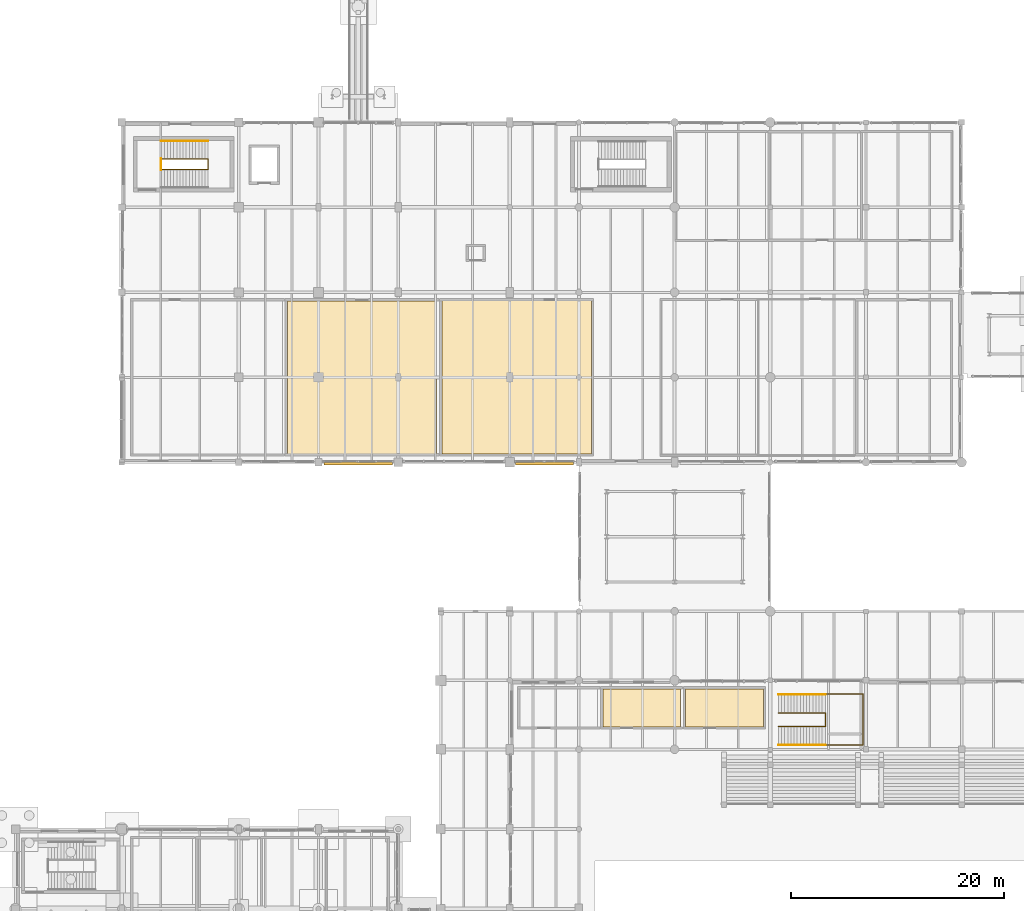
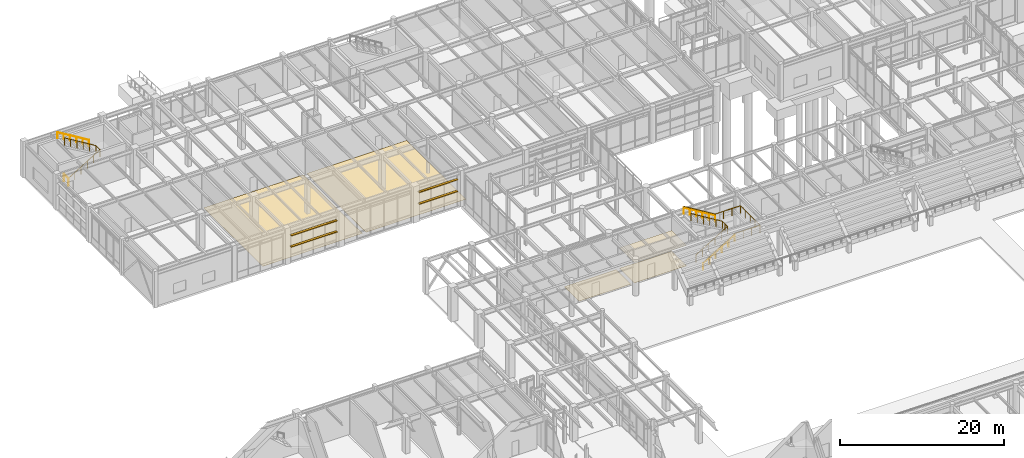
# One storey, part 197 of 203: 7 railings, 5 coverings, 4 shading devices.
"""IFC4 building model written with IfcOpenShell, lengths in metres."""

from ifc_helpers import new_model, si_unit, direction, frame, origin, origin_2d, place, context, subcontext, project, spatial, polyline, rectangle, circle, outline, extrude, material, layer, layer_set, type_object, element, save


model = new_model("IFC4")

# Units and contexts
model_context = context("Model", 3, precision=1e-05, world=origin(), true_north=direction((0.0, 1.0)))
body_context = subcontext(model_context, "Body", "Model", "MODEL_VIEW")
ifc_project = project(units=[si_unit("LENGTHUNIT", "METRE"), si_unit("AREAUNIT", "SQUARE_METRE"), si_unit("VOLUMEUNIT", "CUBIC_METRE"), si_unit("PLANEANGLEUNIT", "RADIAN"), si_unit("MASSUNIT", "GRAM", prefix="KILO"), si_unit("THERMODYNAMICTEMPERATUREUNIT", "KELVIN"), si_unit("POWERUNIT", "WATT")], contexts=[model_context])

# Site, building, storey
site_placement = place(None, origin())
site = spatial("IfcSite", under=ifc_project, at=site_placement, CompositionType="ELEMENT")
building_placement = place(site_placement, origin())
building = spatial("IfcBuilding", under=site, at=building_placement, Name="Tepalcoro Natatorium and Aquatics Centre", CompositionType="ELEMENT")
storey_placement = place(building_placement, origin())
storey = spatial("IfcBuildingStorey", under=building, at=storey_placement, Name="L00", CompositionType="ELEMENT", Elevation=0.0)

# Coverings
ifc_material_1 = material(Name="Moisture-Resistant Acoustic Gypsum Drywall on Cold-Formed Metal Studs")
ifc_layer_1 = layer(ifc_material_1, 0.030029296875)
ifc_layer_set_1 = layer_set([ifc_layer_1], Name="Moisture-Resistant Acoustic Gypsum Drywall on Cold-Formed Metal Studs")
covering_type_1 = type_object("IfcCoveringType", Name="CL_GYPSUM_30", PredefinedType="CEILING", material=ifc_layer_set_1)
covering_1_placement = place(storey_placement, frame((0.0, 0.0, 3.050048828125)))
element("IfcCovering", 1, at=covering_1_placement, inside=storey, type_object=covering_type_1, Name="Competition Lane-Line & Starting-Block Store Suspended Ceiling", PredefinedType="CEILING", context=body_context, shape_type="SweptSolid", body=[
    extrude(outline(polyline([(63.034912109375, 61.094970703125), (63.034912109375, 64.705078125), (70.364990234375, 64.705078125), (70.364990234375, 61.094970703125), (63.034912109375, 61.094970703125)])), origin(), (0.0, 0.0, 1.0), 0.030029296875),
])
ifc_material_2 = material(Name="Shock-Absorbing Vulcanised Athletic Rubber Flooring")
ifc_layer_2 = layer(ifc_material_2, 0.010009765625)
ifc_layer_set_2 = layer_set([ifc_layer_2], Name="Shock-Absorbing Vulcanised Athletic Rubber Flooring")
covering_type_2 = type_object("IfcCoveringType", Name="FL_CARPET_10", PredefinedType="FLOORING", material=ifc_layer_set_2)
covering_2_placement = place(storey_placement, origin())
element("IfcCovering", 2, at=covering_2_placement, inside=storey, type_object=covering_type_2, Name="Community Female Wet Changing & Showers Floor Finish", PredefinedType="FLOORING", context=body_context, shape_type="SweptSolid", body=[
    extrude(outline(polyline([(25.5830078125, 86.81005859375), (25.5830078125, 101.18994140625), (39.616943359375, 101.18994140625), (39.616943359375, 86.81005859375), (25.5830078125, 86.81005859375)])), origin(), (0.0, 0.0, 1.0), 0.010009765625),
])
ifc_material_3 = material(Name="Slip-Resistant Porcelain Aquatic Deck Tile")
ifc_layer_3 = layer(ifc_material_3, 0.02197265625)
ifc_layer_set_3 = layer_set([ifc_layer_3], Name="Slip-Resistant Porcelain Aquatic Deck Tile")
covering_type_3 = type_object("IfcCoveringType", Name="FL_DECK_TILE_22", PredefinedType="FLOORING", material=ifc_layer_set_3)
covering_3_placement = place(storey_placement, origin())
element("IfcCovering", 3, at=covering_3_placement, inside=storey, type_object=covering_type_3, Name="Pre-Swim Cleansing Showers & Footbath West Floor Finish", PredefinedType="FLOORING", context=body_context, shape_type="SweptSolid", body=[
    extrude(outline(polyline([(55.25, 61.110107421875), (55.25, 64.68994140625), (62.550048828125, 64.68994140625), (62.550048828125, 61.110107421875), (55.25, 61.110107421875)])), origin(), (0.0, 0.0, 1.0), 0.02197265625),
])
ifc_layer_4 = layer(ifc_material_2, 0.011962890625)
ifc_layer_set_4 = layer_set([ifc_layer_4], Name="Shock-Absorbing Vulcanised Athletic Rubber Flooring")
covering_type_4 = type_object("IfcCoveringType", Name="FL_RUBBER_12", PredefinedType="FLOORING", material=ifc_layer_set_4)
covering_4_placement = place(storey_placement, origin())
element("IfcCovering", 4, at=covering_4_placement, inside=storey, type_object=covering_type_4, Name="Accessible Changing Places Suite & Hoist WC Floor Finish", PredefinedType="FLOORING", context=body_context, shape_type="SweptSolid", body=[
    extrude(outline(polyline([(40.096923828125, 86.7900390625), (40.096923828125, 101.2099609375), (54.169921875, 101.2099609375), (54.169921875, 86.7900390625), (40.096923828125, 86.7900390625)])), origin(), (0.0, 0.0, 1.0), 0.011962890625),
])
ifc_material_4 = material(Name="Sprung Maple Sports Floor Assembly")
ifc_layer_5 = layer(ifc_material_4, 0.02392578125)
ifc_layer_set_5 = layer_set([ifc_layer_5], Name="Sprung Maple Sports Floor Assembly")
covering_type_5 = type_object("IfcCoveringType", Name="FL_WOOD_22", PredefinedType="FLOORING", material=ifc_layer_set_5)
covering_5_placement = place(storey_placement, origin())
element("IfcCovering", 5, at=covering_5_placement, inside=storey, type_object=covering_type_5, Name="Competition Lane-Line & Starting-Block Store Floor Finish", PredefinedType="FLOORING", context=body_context, shape_type="SweptSolid", body=[
    extrude(outline(polyline([(63.034912109375, 61.094970703125), (63.034912109375, 64.705078125), (70.364990234375, 64.705078125), (70.364990234375, 61.094970703125), (63.034912109375, 61.094970703125)])), origin(), (0.0, 0.0, 1.0), 0.02392578125),
])

# Railings
ifc_material_5 = material(Name="Marine-Grade Brushed Stainless Steel AISI 316L", Category="steel")
railing_type_1 = type_object("IfcRailingType", Name="RL_GLASS_1100", PredefinedType="GUARDRAIL", material=ifc_material_5)
railing_1_placement = place(storey_placement, frame((71.760009765625, 61.169921875, 0.0)))
element("IfcRailing", 6, at=railing_1_placement, inside=storey, type_object=railing_type_1, Name="ST23 Inner Stairwell Guardrail", PredefinedType="GUARDRAIL", context=body_context, shape_type="SweptSolid", body=[
    extrude(circle(Radius=0.02392578125, at=origin_2d()), frame((0.0, 0.0, 1.09619140625), z_axis=(0.853646024003, 0.0, 0.520853593349), x_axis=(0.0, 1.0, 0.0)), (0.0, 0.0, 1.0), 5.18359375),
    extrude(circle(Radius=0.02392578125, at=origin_2d()), frame((4.425048828125, 0.0, 3.7958984375), z_axis=(0.0, 1.0, 0.0), x_axis=(-1.0, 0.0, 0.0)), (0.0, 0.0, 1.0), 1.260009765625),
    extrude(circle(Radius=0.02392578125, at=origin_2d()), frame((4.425048828125, 1.260009765625, 3.7958984375), z_axis=(-0.853646024003, 0.0, 0.520853593349), x_axis=(0.0, -1.0, 0.0)), (0.0, 0.0, 1.0), 5.18359375),
    extrude(circle(Radius=0.02099609375, at=origin_2d()), origin(), (0.0, 0.0, 1.0), 1.072021484375),
    extrude(circle(Radius=0.02099609375, at=origin_2d()), frame((0.885009765625, 0.0, 0.5400390625)), (0.0, 0.0, 1.0), 1.072021484375),
    extrude(circle(Radius=0.02099609375, at=origin_2d()), frame((1.77001953125, 0.0, 1.080078125)), (0.0, 0.0, 1.0), 1.072021484375),
    extrude(circle(Radius=0.02099609375, at=origin_2d()), frame((2.655029296875, 0.0, 1.619873046875)), (0.0, 0.0, 1.0), 1.072021484375),
    extrude(circle(Radius=0.02099609375, at=origin_2d()), frame((3.5400390625, 0.0, 2.159912109375)), (0.0, 0.0, 1.0), 1.072021484375),
    extrude(circle(Radius=0.02099609375, at=origin_2d()), frame((4.425048828125, 0.0, 2.699951171875)), (0.0, 0.0, 1.0), 1.072021484375),
    extrude(circle(Radius=0.02099609375, at=origin_2d()), frame((4.425048828125, 0.6298828125, 2.699951171875)), (0.0, 0.0, 1.0), 1.072021484375),
    extrude(circle(Radius=0.02099609375, at=origin_2d()), frame((4.425048828125, 1.260009765625, 2.699951171875)), (0.0, 0.0, 1.0), 1.072021484375),
    extrude(circle(Radius=0.02099609375, at=origin_2d()), frame((3.5400390625, 1.260009765625, 3.239990234375)), (0.0, 0.0, 1.0), 1.072021484375),
    extrude(circle(Radius=0.02099609375, at=origin_2d()), frame((2.655029296875, 1.260009765625, 3.780029296875)), (0.0, 0.0, 1.0), 1.072021484375),
    extrude(circle(Radius=0.02099609375, at=origin_2d()), frame((1.77001953125, 1.260009765625, 4.31982421875)), (0.0, 0.0, 1.0), 1.072021484375),
    extrude(circle(Radius=0.02099609375, at=origin_2d()), frame((0.885009765625, 1.260009765625, 4.85986328125)), (0.0, 0.0, 1.0), 1.072021484375),
    extrude(circle(Radius=0.02099609375, at=origin_2d()), frame((0.0, 1.260009765625, 5.39990234375)), (0.0, 0.0, 1.0), 1.072021484375),
])
railing_2_placement = place(storey_placement, frame((71.760009765625, 59.409912109375, 0.0)))
element("IfcRailing", 7, at=railing_2_placement, inside=storey, type_object=railing_type_1, Name="ST23 Feature Stair Outer Guardrail", PredefinedType="GUARDRAIL", context=body_context, shape_type="SweptSolid", body=[
    extrude(circle(Radius=0.02392578125, at=origin_2d()), frame((0.0, 0.0, 1.09619140625), z_axis=(0.853646024003, 0.0, 0.520853593349), x_axis=(0.0, 1.0, 0.0)), (0.0, 0.0, 1.0), 5.18359375),
    extrude(circle(Radius=0.02392578125, at=origin_2d()), frame((4.425048828125, 0.0, 3.7958984375), z_axis=(1.0, 0.0, 0.0), x_axis=(0.0, 1.0, 0.0)), (0.0, 0.0, 1.0), 3.554931640625),
    extrude(circle(Radius=0.02392578125, at=origin_2d()), frame((7.97998046875, 0.0, 3.7958984375), z_axis=(0.0, 1.0, 0.0), x_axis=(-1.0, 0.0, 0.0)), (0.0, 0.0, 1.0), 4.780029296875),
    extrude(circle(Radius=0.02392578125, at=origin_2d()), frame((7.97998046875, 4.780029296875, 3.7958984375), z_axis=(-1.0, 0.0, 0.0), x_axis=(0.0, -1.0, 0.0)), (0.0, 0.0, 1.0), 3.554931640625),
    extrude(circle(Radius=0.02392578125, at=origin_2d()), frame((4.425048828125, 4.780029296875, 3.7958984375), z_axis=(-0.853646024003, 0.0, 0.520853593349), x_axis=(0.0, -1.0, 0.0)), (0.0, 0.0, 1.0), 5.18359375),
    extrude(circle(Radius=0.02099609375, at=origin_2d()), origin(), (0.0, 0.0, 1.0), 1.072021484375),
    extrude(circle(Radius=0.02099609375, at=origin_2d()), frame((0.885009765625, 0.0, 0.5400390625)), (0.0, 0.0, 1.0), 1.072021484375),
    extrude(circle(Radius=0.02099609375, at=origin_2d()), frame((1.77001953125, 0.0, 1.080078125)), (0.0, 0.0, 1.0), 1.072021484375),
    extrude(circle(Radius=0.02099609375, at=origin_2d()), frame((2.655029296875, 0.0, 1.619873046875)), (0.0, 0.0, 1.0), 1.072021484375),
    extrude(circle(Radius=0.02099609375, at=origin_2d()), frame((3.5400390625, 0.0, 2.159912109375)), (0.0, 0.0, 1.0), 1.072021484375),
    extrude(circle(Radius=0.02099609375, at=origin_2d()), frame((4.425048828125, 0.0, 2.699951171875)), (0.0, 0.0, 1.0), 1.072021484375),
    extrude(circle(Radius=0.02099609375, at=origin_2d()), frame((5.610107421875, 0.0, 2.699951171875)), (0.0, 0.0, 1.0), 1.072021484375),
    extrude(circle(Radius=0.02099609375, at=origin_2d()), frame((6.794921875, 0.0, 2.699951171875)), (0.0, 0.0, 1.0), 1.072021484375),
    extrude(circle(Radius=0.02099609375, at=origin_2d()), frame((7.97998046875, 0.0, 2.699951171875)), (0.0, 0.0, 1.0), 1.072021484375),
    extrude(circle(Radius=0.02099609375, at=origin_2d()), frame((7.97998046875, 1.195068359375, 2.699951171875)), (0.0, 0.0, 1.0), 1.072021484375),
    extrude(circle(Radius=0.02099609375, at=origin_2d()), frame((7.97998046875, 2.39013671875, 2.699951171875)), (0.0, 0.0, 1.0), 1.072021484375),
    extrude(circle(Radius=0.02099609375, at=origin_2d()), frame((7.97998046875, 3.5849609375, 2.699951171875)), (0.0, 0.0, 1.0), 1.072021484375),
    extrude(circle(Radius=0.02099609375, at=origin_2d()), frame((7.97998046875, 4.780029296875, 2.699951171875)), (0.0, 0.0, 1.0), 1.072021484375),
    extrude(circle(Radius=0.02099609375, at=origin_2d()), frame((6.794921875, 4.780029296875, 2.699951171875)), (0.0, 0.0, 1.0), 1.072021484375),
    extrude(circle(Radius=0.02099609375, at=origin_2d()), frame((5.610107421875, 4.780029296875, 2.699951171875)), (0.0, 0.0, 1.0), 1.072021484375),
    extrude(circle(Radius=0.02099609375, at=origin_2d()), frame((4.425048828125, 4.780029296875, 2.699951171875)), (0.0, 0.0, 1.0), 1.072021484375),
    extrude(circle(Radius=0.02099609375, at=origin_2d()), frame((3.5400390625, 4.780029296875, 3.239990234375)), (0.0, 0.0, 1.0), 1.072021484375),
    extrude(circle(Radius=0.02099609375, at=origin_2d()), frame((2.655029296875, 4.780029296875, 3.780029296875)), (0.0, 0.0, 1.0), 1.072021484375),
    extrude(circle(Radius=0.02099609375, at=origin_2d()), frame((1.77001953125, 4.780029296875, 4.31982421875)), (0.0, 0.0, 1.0), 1.072021484375),
    extrude(circle(Radius=0.02099609375, at=origin_2d()), frame((0.885009765625, 4.780029296875, 4.85986328125)), (0.0, 0.0, 1.0), 1.072021484375),
    extrude(circle(Radius=0.02099609375, at=origin_2d()), frame((0.0, 4.780029296875, 5.39990234375)), (0.0, 0.0, 1.0), 1.072021484375),
])
ifc_material_6 = material(Name="Bronze-Anodised Extruded Aluminium Alloy EN AW-6063 T6", Category="aluminium")
railing_type_2 = type_object("IfcRailingType", Name="RL_HAND_900_BRZ", PredefinedType="HANDRAIL", material=ifc_material_6)
railing_3_placement = place(storey_placement, frame((18.125, 116.219970703125, 2.699951171875)))
element("IfcRailing", 8, at=railing_3_placement, inside=storey, type_object=railing_type_2, Name="ST07-L00 Wall Handrail F2", PredefinedType="HANDRAIL", context=body_context, shape_type="SweptSolid", body=[
    extrude(circle(Radius=0.02392578125, at=origin_2d()), frame((0.0, 0.0, 0.8759765625), z_axis=(-0.853646024003, 0.0, 0.520853593349), x_axis=(0.0, -1.0, 0.0)), (0.0, 0.0, 1.0), 5.18359375),
    extrude(circle(Radius=0.02099609375, at=origin_2d()), origin(), (0.0, 0.0, 1.0), 0.851806640625),
    extrude(circle(Radius=0.02099609375, at=origin_2d()), frame((-0.885009765625, 0.0, 0.5400390625)), (0.0, 0.0, 1.0), 0.851806640625),
    extrude(circle(Radius=0.02099609375, at=origin_2d()), frame((-1.77001953125, 0.0, 1.080078125)), (0.0, 0.0, 1.0), 0.851806640625),
    extrude(circle(Radius=0.02099609375, at=origin_2d()), frame((-2.655029296875, 0.0, 1.619873046875)), (0.0, 0.0, 1.0), 0.851806640625),
    extrude(circle(Radius=0.02099609375, at=origin_2d()), frame((-3.5400390625, 0.0, 2.159912109375)), (0.0, 0.0, 1.0), 0.851806640625),
    extrude(circle(Radius=0.02099609375, at=origin_2d()), frame((-4.425048828125, 0.0, 2.699951171875)), (0.0, 0.0, 1.0), 0.851806640625),
])
railing_type_3 = type_object("IfcRailingType", Name="RL_HAND_920_SS", PredefinedType="HANDRAIL", material=ifc_material_5)
railing_4_placement = place(storey_placement, frame((71.760009765625, 59.429931640625, 0.0)))
element("IfcRailing", 9, at=railing_4_placement, inside=storey, type_object=railing_type_3, Name="ST23 Wall Handrail F1", PredefinedType="HANDRAIL", context=body_context, shape_type="SweptSolid", body=[
    extrude(circle(Radius=0.02392578125, at=origin_2d()), frame((0.0, 0.0, 0.89599609375), z_axis=(0.853646024003, 0.0, 0.520853593349), x_axis=(0.0, 1.0, 0.0)), (0.0, 0.0, 1.0), 5.18359375),
    extrude(circle(Radius=0.02099609375, at=origin_2d()), origin(), (0.0, 0.0, 1.0), 0.871826171875),
    extrude(circle(Radius=0.02099609375, at=origin_2d()), frame((0.885009765625, 0.0, 0.5400390625)), (0.0, 0.0, 1.0), 0.871826171875),
    extrude(circle(Radius=0.02099609375, at=origin_2d()), frame((1.77001953125, 0.0, 1.080078125)), (0.0, 0.0, 1.0), 0.871826171875),
    extrude(circle(Radius=0.02099609375, at=origin_2d()), frame((2.655029296875, 0.0, 1.619873046875)), (0.0, 0.0, 1.0), 0.871826171875),
    extrude(circle(Radius=0.02099609375, at=origin_2d()), frame((3.5400390625, 0.0, 2.159912109375)), (0.0, 0.0, 1.0), 0.871826171875),
    extrude(circle(Radius=0.02099609375, at=origin_2d()), frame((4.425048828125, 0.0, 2.699951171875)), (0.0, 0.0, 1.0), 0.871826171875),
])
railing_5_placement = place(storey_placement, frame((76.18505859375, 64.169921875, 2.699951171875)))
element("IfcRailing", 10, at=railing_5_placement, inside=storey, type_object=railing_type_3, Name="ST23 Wall Handrail F2", PredefinedType="HANDRAIL", context=body_context, shape_type="SweptSolid", body=[
    extrude(circle(Radius=0.02392578125, at=origin_2d()), frame((0.0, 0.0, 0.89599609375), z_axis=(-0.853646024003, 0.0, 0.520853593349), x_axis=(0.0, -1.0, 0.0)), (0.0, 0.0, 1.0), 5.18359375),
    extrude(circle(Radius=0.02099609375, at=origin_2d()), origin(), (0.0, 0.0, 1.0), 0.871826171875),
    extrude(circle(Radius=0.02099609375, at=origin_2d()), frame((-0.885009765625, 0.0, 0.5400390625)), (0.0, 0.0, 1.0), 0.871826171875),
    extrude(circle(Radius=0.02099609375, at=origin_2d()), frame((-1.77001953125, 0.0, 1.080078125)), (0.0, 0.0, 1.0), 0.871826171875),
    extrude(circle(Radius=0.02099609375, at=origin_2d()), frame((-2.655029296875, 0.0, 1.619873046875)), (0.0, 0.0, 1.0), 0.871826171875),
    extrude(circle(Radius=0.02099609375, at=origin_2d()), frame((-3.5400390625, 0.0, 2.159912109375)), (0.0, 0.0, 1.0), 0.871826171875),
    extrude(circle(Radius=0.02099609375, at=origin_2d()), frame((-4.425048828125, 0.0, 2.699951171875)), (0.0, 0.0, 1.0), 0.871826171875),
])
railing_type_4 = type_object("IfcRailingType", Name="RL_SS_1100", PredefinedType="GUARDRAIL", material=ifc_material_5)
railing_6_placement = place(storey_placement, frame((13.699951171875, 113.550048828125, 0.0)))
element("IfcRailing", 11, at=railing_6_placement, inside=storey, type_object=railing_type_4, Name="ST07-L00 Inner Stairwell Guardrail", PredefinedType="GUARDRAIL", context=body_context, shape_type="SweptSolid", body=[
    extrude(circle(Radius=0.02392578125, at=origin_2d()), frame((0.0, 0.0, 1.076171875), z_axis=(0.853646024003, 0.0, 0.520853593349), x_axis=(0.0, 1.0, 0.0)), (0.0, 0.0, 1.0), 5.18359375),
    extrude(circle(Radius=0.02392578125, at=origin_2d()), frame((4.425048828125, 0.0, 3.77587890625), z_axis=(0.0, 1.0, 0.0), x_axis=(-1.0, 0.0, 0.0)), (0.0, 0.0, 1.0), 1.0),
    extrude(circle(Radius=0.02392578125, at=origin_2d()), frame((4.425048828125, 1.0, 3.77587890625), z_axis=(-0.853646024003, 0.0, 0.520853593349), x_axis=(0.0, -1.0, 0.0)), (0.0, 0.0, 1.0), 5.18359375),
    extrude(circle(Radius=0.02099609375, at=origin_2d()), origin(), (0.0, 0.0, 1.0), 1.052001953125),
    extrude(circle(Radius=0.02099609375, at=origin_2d()), frame((0.885009765625, 0.0, 0.5400390625)), (0.0, 0.0, 1.0), 1.052001953125),
    extrude(circle(Radius=0.02099609375, at=origin_2d()), frame((1.77001953125, 0.0, 1.080078125)), (0.0, 0.0, 1.0), 1.052001953125),
    extrude(circle(Radius=0.02099609375, at=origin_2d()), frame((2.655029296875, 0.0, 1.619873046875)), (0.0, 0.0, 1.0), 1.052001953125),
    extrude(circle(Radius=0.02099609375, at=origin_2d()), frame((3.5400390625, 0.0, 2.159912109375)), (0.0, 0.0, 1.0), 1.052001953125),
    extrude(circle(Radius=0.02099609375, at=origin_2d()), frame((4.425048828125, 0.0, 2.699951171875)), (0.0, 0.0, 1.0), 1.052001953125),
    extrude(circle(Radius=0.02099609375, at=origin_2d()), frame((4.425048828125, 1.0, 2.699951171875)), (0.0, 0.0, 1.0), 1.052001953125),
    extrude(circle(Radius=0.02099609375, at=origin_2d()), frame((3.5400390625, 1.0, 3.239990234375)), (0.0, 0.0, 1.0), 1.052001953125),
    extrude(circle(Radius=0.02099609375, at=origin_2d()), frame((2.655029296875, 1.0, 3.780029296875)), (0.0, 0.0, 1.0), 1.052001953125),
    extrude(circle(Radius=0.02099609375, at=origin_2d()), frame((1.77001953125, 1.0, 4.31982421875)), (0.0, 0.0, 1.0), 1.052001953125),
    extrude(circle(Radius=0.02099609375, at=origin_2d()), frame((0.885009765625, 1.0, 4.85986328125)), (0.0, 0.0, 1.0), 1.052001953125),
    extrude(circle(Radius=0.02099609375, at=origin_2d()), frame((0.0, 1.0, 5.39990234375)), (0.0, 0.0, 1.0), 1.052001953125),
])
railing_7_placement = place(storey_placement, frame((13.669921875, 113.510009765625, 0.0)))
element("IfcRailing", 12, at=railing_7_placement, inside=storey, type_object=railing_type_4, Name="ST07-L00 Landing Well Slot Guard", PredefinedType="GUARDRAIL", context=body_context, shape_type="SweptSolid", body=[
    extrude(circle(Radius=0.02392578125, at=origin_2d()), frame((0.0, 0.0, 1.076171875), z_axis=(0.0, 1.0, 0.0), x_axis=(-1.0, 0.0, 0.0)), (0.0, 0.0, 1.0), 1.080078125),
    extrude(circle(Radius=0.02099609375, at=origin_2d()), origin(), (0.0, 0.0, 1.0), 1.052001953125),
    extrude(circle(Radius=0.02099609375, at=origin_2d()), frame((0.0, 1.080078125, 0.0)), (0.0, 0.0, 1.0), 1.052001953125),
])

# Shading devices
shading_device_type = type_object("IfcShadingDeviceType", Name="SHD_FIN_BRONZE", PredefinedType="SHUTTER", material=ifc_material_6)
for number, where, z_axis, x_axis, name in (
    (13, (32.25, 85.90625, 2.26806640625), (0.0, 0.0, 1.0), (1.0, 0.0, 0.0), "Solar Shading Brise-Soleil SHD_FIN_BRONZE"),
    (14, (32.25, 85.90625, 3.927978515625), (0.0, 0.0, 1.0), (1.0, 0.0, 0.0), "Solar Shading Brise-Soleil SHD_FIN_BRONZE"),
):
    element("IfcShadingDevice", number, at=place(storey_placement, frame(where, z_axis=z_axis, x_axis=x_axis)), inside=storey, type_object=shading_device_type, Name=name, PredefinedType="SHUTTER", context=body_context, shape_type="SweptSolid", body=[
        extrude(rectangle(XDim=6.4599609375, YDim=0.300048828125, at=origin_2d()), origin(), (0.0, 0.0, 1.0), 0.080078125),
    ])
for number, where, z_axis, x_axis, name in (
    (15, (49.75, 85.90625, 2.33642578125), (0.0, 0.0, 1.0), (1.0, 0.0, 0.0), "Solar Shading Brise-Soleil SHD_FIN_BRONZE"),
    (16, (49.75, 85.90625, 4.080078125), (0.0, 0.0, 1.0), (1.0, 0.0, 0.0), "Solar Shading Brise-Soleil SHD_FIN_BRONZE"),
):
    element("IfcShadingDevice", number, at=place(storey_placement, frame(where, z_axis=z_axis, x_axis=x_axis)), inside=storey, type_object=shading_device_type, Name=name, PredefinedType="SHUTTER", context=body_context, shape_type="SweptSolid", body=[
        extrude(rectangle(XDim=5.4599609375, YDim=0.300048828125, at=origin_2d()), origin(), (0.0, 0.0, 1.0), 0.080078125),
    ])

save(model, "model.ifc")
